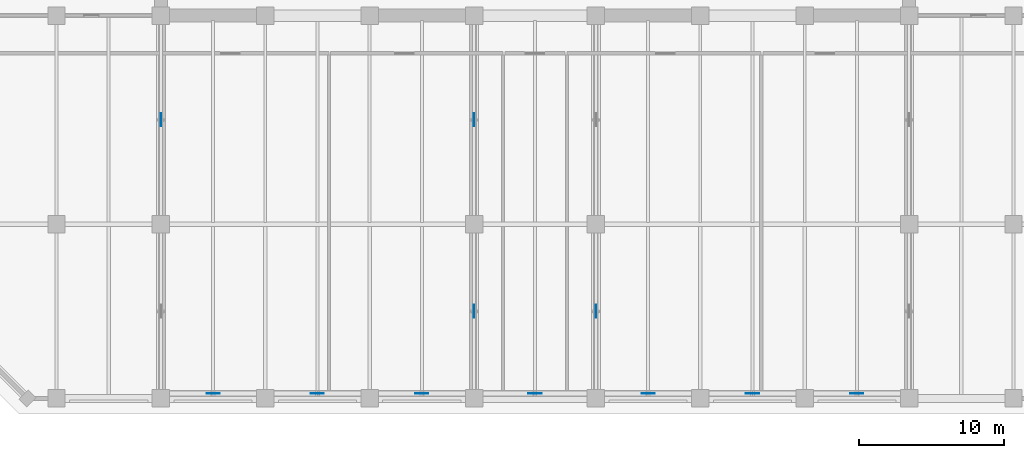
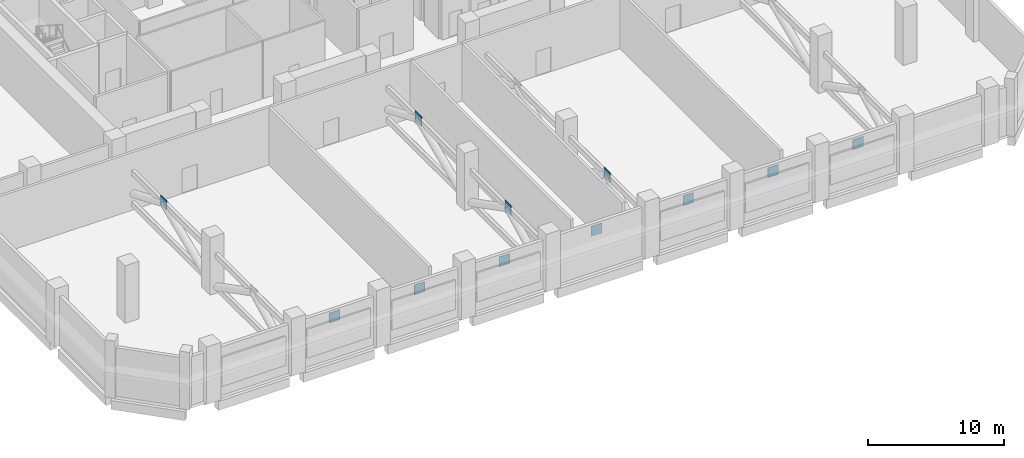
# One storey, part 4 of 13: 11 plates.
"""IFC4 building model written with IfcOpenShell, lengths in metres."""

from ifc_helpers import new_model, si_unit, direction, frame, origin, origin_2d, place, context, subcontext, project, spatial, rectangle, extrude, material, layer, layer_set, type_object, element, save


model = new_model("IFC4")

# Units and contexts
model_context = context("Model", 3, precision=1e-05, world=origin(), true_north=direction((0.0, 1.0)))
body_context = subcontext(model_context, "Body", "Model", "MODEL_VIEW")
ifc_project = project(units=[si_unit("LENGTHUNIT", "METRE"), si_unit("AREAUNIT", "SQUARE_METRE"), si_unit("VOLUMEUNIT", "CUBIC_METRE"), si_unit("PLANEANGLEUNIT", "RADIAN"), si_unit("MASSUNIT", "GRAM", prefix="KILO")], contexts=[model_context])

# Site, building, storey
site_placement = place(None, origin())
site = spatial("IfcSite", under=ifc_project, at=site_placement, CompositionType="ELEMENT")
building_placement = place(site_placement, origin())
building = spatial("IfcBuilding", under=site, at=building_placement, Name="Kaelvorn Grand Hotel", CompositionType="ELEMENT")
storey_placement = place(building_placement, frame((0.0, 0.0, 184.75)))
storey = spatial("IfcBuildingStorey", under=building, at=storey_placement, Name="L45", CompositionType="ELEMENT", Elevation=184.75)

# Plates
ifc_material = material(Name="Steel S460", Category="steel")
ifc_layer = layer(ifc_material, 0.0400390625)
ifc_layer_set = layer_set([ifc_layer], Name="Steel S460")
plate_type = type_object("IfcPlateType", Name="PL-GUSSET-40-S460", PredefinedType="USERDEFINED", material=ifc_layer_set)
for number, where, z_axis, x_axis, name in (
    (1, (16.199951171875, 22.199951171875, 2.900146484375), (0.0, 0.0, 1.0), (1.0, 0.0, 0.0), "L45 Outrigger Gusset End-Cap Plate 1.2"),
    (2, (37.800048828125, 9.0, 2.900146484375), (0.0, 0.0, 1.0), (1.0, 0.0, 0.0), "L45 Outrigger Gusset End-Cap Plate 2.1"),
    (3, (37.800048828125, 22.199951171875, 2.900146484375), (0.0, 0.0, 1.0), (1.0, 0.0, 0.0), "L45 Outrigger Gusset End-Cap Plate 2.2"),
    (4, (46.199951171875, 9.0, 2.900146484375), (0.0, 0.0, 1.0), (1.0, 0.0, 0.0), "L45 Outrigger Gusset End-Cap Plate 3.1"),
):
    element("IfcPlate", number, at=place(storey_placement, frame(where, z_axis=z_axis, x_axis=x_axis)), inside=storey, type_object=plate_type, Name=name, ObjectType="GUSSET_PLATE", PredefinedType="USERDEFINED", context=body_context, shape_type="SweptSolid", body=[
        extrude(rectangle(XDim=0.0400390625, YDim=0.89990234375, at=origin_2d()), origin(), (0.0, 0.0, 1.0), 0.89990234375),
    ])
for number, where, z_axis, x_axis, name in (
    (5, (19.800048828125, 3.340087890625, 2.900146484375), (0.0, 0.0, 1.0), (1.0, 0.0, 0.0), "L45 Belt Truss Node Gusset Plate 1"),
    (6, (27.0, 3.340087890625, 2.900146484375), (0.0, 0.0, 1.0), (1.0, 0.0, 0.0), "L45 Belt Truss Node Gusset Plate 2"),
    (7, (34.199951171875, 3.340087890625, 2.900146484375), (0.0, 0.0, 1.0), (1.0, 0.0, 0.0), "L45 Belt Truss Node Gusset Plate 3"),
    (8, (42.0, 3.340087890625, 2.900146484375), (0.0, 0.0, 1.0), (1.0, 0.0, 0.0), "L45 Belt Truss Node Gusset Plate 4"),
    (9, (49.800048828125, 3.340087890625, 2.900146484375), (0.0, 0.0, 1.0), (1.0, 0.0, 0.0), "L45 Belt Truss Node Gusset Plate 5"),
    (10, (57.0, 3.340087890625, 2.900146484375), (0.0, 0.0, 1.0), (1.0, 0.0, 0.0), "L45 Belt Truss Node Gusset Plate 6"),
    (11, (64.199951171875, 3.340087890625, 2.900146484375), (0.0, 0.0, 1.0), (1.0, 0.0, 0.0), "L45 Belt Truss Node Gusset Plate 7"),
):
    element("IfcPlate", number, at=place(storey_placement, frame(where, z_axis=z_axis, x_axis=x_axis)), inside=storey, type_object=plate_type, Name=name, ObjectType="GUSSET_PLATE", PredefinedType="USERDEFINED", context=body_context, shape_type="SweptSolid", body=[
        extrude(rectangle(XDim=0.89990234375, YDim=0.0400390625, at=origin_2d()), origin(), (0.0, 0.0, 1.0), 0.89990234375),
    ])

save(model, "model.ifc")
